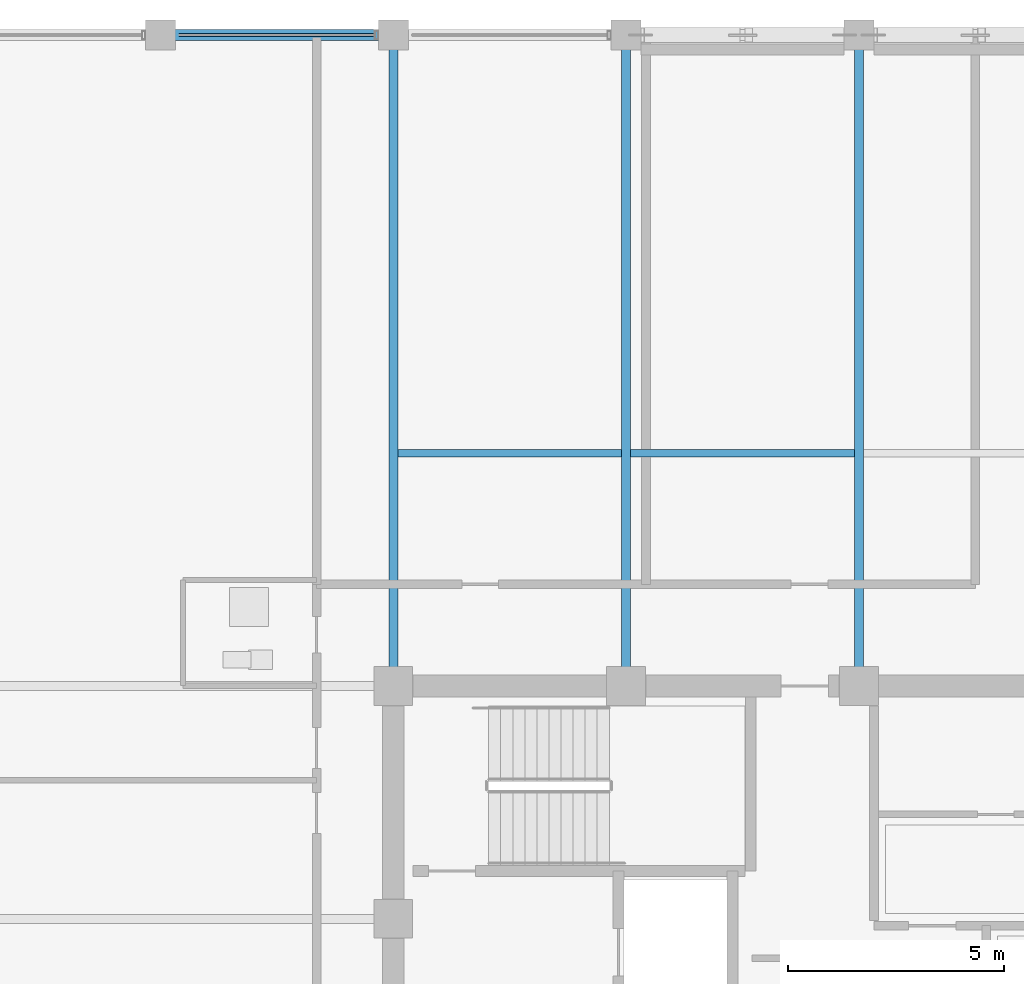
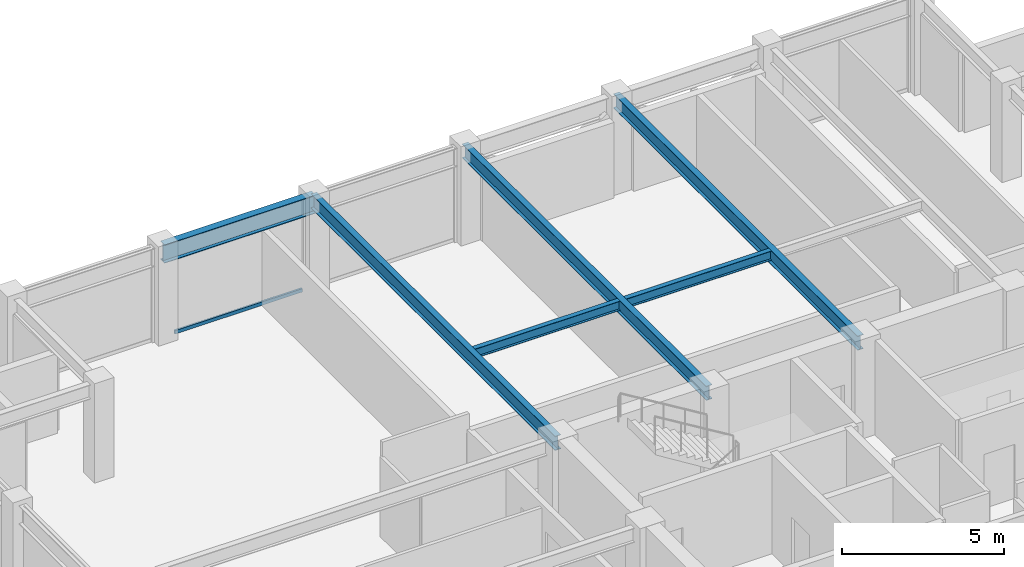
# One storey, part 16 of 31: 6 beams, 1 member, 1 element without a shape of its own.
"""IFC4 building model written with IfcOpenShell, lengths in metres."""

import ifcopenshell
import ifcopenshell.guid

model = None  # the IFC model being written
_history = None  # IfcOwnerHistory: only IFC2X3 demands one
_inside = {}  # id of a spatial element -> (the spatial element, [elements in it])
_under = {}  # id of a project, library or spatial element -> (it, [spatial elements below it])
_declared = {}  # id of a project -> (the project, [libraries it declares])
_typed = {}  # id of a type object -> (the type object, [elements of that type])
_made_of = {}  # id of a material, layer set ... -> (it, [elements and type objects made of it])


def new_model(schema):
    """Start an empty IFC model of exactly this schema.

    Asked for "IFC4X3", IfcOpenShell would pick the latest addendum, in which some entities
    have other attributes; the version numbers below select the first issue.
    IFC2X3 requires an IfcOwnerHistory on every rooted entity: one is made here for all.
    """
    global model, _history
    if schema == "IFC4X3":
        model = ifcopenshell.file(schema_version=(4, 3, 0, 0))
    else:
        model = ifcopenshell.file(schema=schema)
    _inside.clear()
    _under.clear()
    _declared.clear()
    _typed.clear()
    _made_of.clear()
    _history = None
    if model.schema == "IFC2X3":
        org = make("IfcOrganization", Name="unknown")
        user = make(
            "IfcPersonAndOrganization",
            ThePerson=make("IfcPerson", FamilyName="unknown"),
            TheOrganization=org,
        )
        app = make(
            "IfcApplication",
            ApplicationDeveloper=org,
            Version="unknown",
            ApplicationFullName="unknown",
            ApplicationIdentifier="unknown",
        )
        _history = make(
            "IfcOwnerHistory",
            OwningUser=user,
            OwningApplication=app,
            ChangeAction="ADDED",
            CreationDate=0,
        )
    return model


def make(cls, **values):
    """One entity of the class cls with the attributes given. An attribute that is None is left unset."""
    return model.create_entity(
        cls, **{name: value for name, value in values.items() if value is not None}
    )


def rooted(cls, **values):
    """An entity with a GlobalId (a new one), such as an element, a storey or a relation."""
    return make(cls, GlobalId=ifcopenshell.guid.new(), OwnerHistory=_history, **values)


def si_unit(unit_type, name, prefix=None):
    """IfcSIUnit, for example si_unit("LENGTHUNIT", "METRE", prefix="MILLI")."""
    return make("IfcSIUnit", UnitType=unit_type, Prefix=prefix, Name=name)


def assignment(units):
    """IfcUnitAssignment: the units of a project."""
    return None if units is None else make("IfcUnitAssignment", Units=units)


def point(xyz):
    """IfcCartesianPoint."""
    return None if xyz is None else make("IfcCartesianPoint", Coordinates=xyz)


def direction(xyz):
    """IfcDirection."""
    return None if xyz is None else make("IfcDirection", DirectionRatios=xyz)


def frame(location, z_axis=None, x_axis=None):
    """IfcAxis2Placement3D, a coordinate frame: its origin and axes. An axis left out is left unset."""
    return make(
        "IfcAxis2Placement3D",
        Location=point(location),
        Axis=direction(z_axis),
        RefDirection=direction(x_axis),
    )


def frame_2d(location, x_axis=None):
    """IfcAxis2Placement2D, a coordinate frame in the plane: its origin and x axis."""
    return make(
        "IfcAxis2Placement2D", Location=point(location), RefDirection=direction(x_axis)
    )


def origin():
    """The frame at (0, 0, 0) with its axes left unset."""
    return frame((0.0, 0.0, 0.0))


def origin_2d():
    """The frame at (0, 0) in the plane with its x axis left unset."""
    return frame_2d((0.0, 0.0))


def place(relative_to, where):
    """IfcLocalPlacement: puts the frame where relative to a parent placement (None: the world)."""
    return make(
        "IfcLocalPlacement", PlacementRelTo=relative_to, RelativePlacement=where
    )


def context(
    kind, dimensions, precision=None, world=None, true_north=None, identifier=None
):
    """IfcGeometricRepresentationContext, for example the 3D "Model" context."""
    return make(
        "IfcGeometricRepresentationContext",
        ContextIdentifier=identifier,
        ContextType=kind,
        CoordinateSpaceDimension=dimensions,
        Precision=precision,
        WorldCoordinateSystem=world,
        TrueNorth=true_north,
    )


def subcontext(parent, identifier, kind, view, scale=None):
    """IfcGeometricRepresentationSubContext, for example "Body" below "Model"."""
    return make(
        "IfcGeometricRepresentationSubContext",
        ContextIdentifier=identifier,
        ContextType=kind,
        ParentContext=parent,
        TargetScale=scale,
        TargetView=view,
    )


def project(units=None, contexts=None):
    """IfcProject with its units and contexts."""
    return rooted(
        "IfcProject",
        Name="project",
        RepresentationContexts=contexts,
        UnitsInContext=assignment(units),
    )


def spatial(cls, under=None, at=None, **own):
    """A site, building, storey or space (cls), placed at a placement, below another one or the project."""
    s = rooted(cls, ObjectPlacement=at, **own)
    if under is not None:
        _under.setdefault(under.id(), (under, []))[1].append(s)
    return s


def profile(cls, at=None, kind="AREA", **sizes):
    """A parametric profile (cls). Its sizes go by their IFC names, for example OverallWidth=200.0."""
    return make(cls, ProfileType=kind, Position=at, **sizes)


def hollow_rectangle(**sizes):
    """IfcRectangleHollowProfileDef."""
    return profile("IfcRectangleHollowProfileDef", **sizes)


def i_section(**sizes):
    """IfcIShapeProfileDef."""
    return profile("IfcIShapeProfileDef", **sizes)


def extrude(swept, where, along, depth):
    """IfcExtrudedAreaSolid: the profile swept, set in the frame where, extruded along a direction by depth."""
    return make(
        "IfcExtrudedAreaSolid",
        SweptArea=swept,
        Position=where,
        ExtrudedDirection=direction(along),
        Depth=depth,
    )


def shape(context_of_items, identifier, shape_type, items):
    """IfcShapeRepresentation: the items that make up one representation, for example the "Body"."""
    return make(
        "IfcShapeRepresentation",
        ContextOfItems=context_of_items,
        RepresentationIdentifier=identifier,
        RepresentationType=shape_type,
        Items=items,
    )


def material(Name=None, Category=None):
    """IfcMaterial."""
    return make("IfcMaterial", Name=Name, Category=Category)


def layer(
    of_material, thickness, ventilated=None, Name=None, Category=None, Priority=None
):
    """IfcMaterialLayer: one layer of a wall or slab, of a material (None: an air gap)."""
    return make(
        "IfcMaterialLayer",
        Material=of_material,
        LayerThickness=thickness,
        IsVentilated=ventilated,
        Name=Name,
        Category=Category,
        Priority=Priority,
    )


def layer_set(layers, Name=None):
    """IfcMaterialLayerSet."""
    return make("IfcMaterialLayerSet", MaterialLayers=layers, LayerSetName=Name)


def material_profile(
    of_material, cross_section, Name=None, Category=None, Priority=None
):
    """IfcMaterialProfile: a cross section and its material."""
    return make(
        "IfcMaterialProfile",
        Name=Name,
        Material=of_material,
        Profile=cross_section,
        Priority=Priority,
        Category=Category,
    )


def profile_set(profiles, Name=None, composite=None):
    """IfcMaterialProfileSet."""
    return make(
        "IfcMaterialProfileSet",
        Name=Name,
        MaterialProfiles=profiles,
        CompositeProfile=composite,
    )


def made_of(thing, what):
    """Note that an element or type object is made of a material, layer set ...; save() writes the relation."""
    if what is not None:
        _made_of.setdefault(what.id(), (what, []))[1].append(thing)
    return thing


def type_object(cls, material=None, **own):
    """A type object (cls), such as IfcWallType, which elements share."""
    return made_of(rooted(cls, **own), material)


def element(
    cls,
    number,
    at=None,
    inside=None,
    cuts=None,
    type_object=None,
    material=None,
    context=None,
    identifier="Body",
    shape_type=None,
    held_by="IfcProductDefinitionShape",
    body=None,
    shapes=None,
    **own,
):
    """One element of the class cls, such as IfcWall. Its Tag is "e" and its number.

    at: its placement. inside: the storey or other place that contains it. cuts: it is an
    opening in that element (IfcRelVoidsElement). A single representation is given by context,
    identifier, shape_type and body (its items); several are given by shapes. held_by: the class
    of the entity that holds the representations. save() writes the other relations.
    """
    e = rooted(cls, Tag="e%d" % number, ObjectPlacement=at, **own)
    if body is not None:
        shapes = [shape(context, identifier, shape_type, body)]
    if shapes is not None:
        e.Representation = make(held_by, Representations=shapes)
    if inside is not None:
        _inside.setdefault(inside.id(), (inside, []))[1].append(e)
    if cuts is not None:
        rooted(
            "IfcRelVoidsElement", RelatingBuildingElement=cuts, RelatedOpeningElement=e
        )
    if type_object is not None:
        _typed.setdefault(type_object.id(), (type_object, []))[1].append(e)
    return made_of(e, material)


def aggregate(whole, parts):
    """IfcRelAggregates: a whole, such as a stair, and the parts it consists of."""
    return rooted("IfcRelAggregates", RelatingObject=whole, RelatedObjects=parts)


def save(model, path):
    """Write the relations noted so far, then the file.

    IfcRelAggregates (storeys below a building ...), IfcRelContainedInSpatialStructure (elements
    in a storey), IfcRelDefinesByType, IfcRelAssociatesMaterial and IfcRelDeclares: one each for
    every whole, place, type object, material and project.
    """
    for whole, parts in _under.values():
        aggregate(whole, parts)
    for where, things in _inside.values():
        rooted(
            "IfcRelContainedInSpatialStructure",
            RelatedElements=things,
            RelatingStructure=where,
        )
    for kind, things in _typed.values():
        rooted("IfcRelDefinesByType", RelatedObjects=things, RelatingType=kind)
    for what, things in _made_of.values():
        rooted("IfcRelAssociatesMaterial", RelatedObjects=things, RelatingMaterial=what)
    for by, libraries in _declared.values():
        rooted("IfcRelDeclares", RelatingContext=by, RelatedDefinitions=libraries)
    model.write(path)


model = new_model("IFC4")

# Units and contexts
model_context = context("Model", 3, precision=1e-05, world=origin(), true_north=direction((0.0, 1.0)))
body_context = subcontext(model_context, "Body", "Model", "MODEL_VIEW")
ifc_project = project(units=[si_unit("LENGTHUNIT", "METRE"), si_unit("AREAUNIT", "SQUARE_METRE"), si_unit("VOLUMEUNIT", "CUBIC_METRE"), si_unit("PLANEANGLEUNIT", "RADIAN"), si_unit("MASSUNIT", "GRAM", prefix="KILO")], contexts=[model_context])

# Site, building, storey
site_placement = place(None, origin())
site = spatial("IfcSite", under=ifc_project, at=site_placement, CompositionType="ELEMENT")
building_placement = place(site_placement, origin())
building = spatial("IfcBuilding", under=site, at=building_placement, Name="Surkhivell Harbour Commons", CompositionType="ELEMENT")
storey_placement = place(building_placement, frame((0.0, 0.0, 315.0)))
storey = spatial("IfcBuildingStorey", under=building, at=storey_placement, Name="L82", CompositionType="ELEMENT", Elevation=315.0)

# Beams
ifc_material_1 = material(Name="Steel S355", Category="steel")
ifc_material_profile_1 = material_profile(ifc_material_1, i_section(OverallWidth=0.2099609375, OverallDepth=0.537109375, WebThickness=0.0107421875, FlangeThickness=0.017333984375, at=origin_2d()), Name="UB533x210x101")
ifc_profile_set_1 = profile_set([ifc_material_profile_1], Name="Steel S355")
beam_type_1 = type_object("IfcBeamType", Name="BM-GRD-533B", PredefinedType="BEAM", material=ifc_profile_set_1)
for number, where, z_axis, x_axis, name in (
    (1, (-10.800048828125, 10.800048828125, 3.301513671875), (0.0, 1.0, 0.0), (-1.0, 0.0, 0.0), "L82 Floor Girder (-10.8,10.8)"),
    (2, (-5.39990234375, 10.800048828125, 3.301513671875), (0.0, 1.0, 0.0), (-1.0, 0.0, 0.0), "L82 Floor Girder (-5.4,10.8)"),
    (3, (0.0, 10.800048828125, 3.301513671875), (0.0, 1.0, 0.0), (-1.0, 0.0, 0.0), "L82 Floor Girder (0.0,10.8)"),
):
    element("IfcBeam", number, at=place(storey_placement, frame(where, z_axis=z_axis, x_axis=x_axis)), inside=storey, type_object=beam_type_1, Name=name, PredefinedType="BEAM", context=body_context, shape_type="SweptSolid", body=[
        extrude(i_section(OverallWidth=0.2099609375, OverallDepth=0.537109375, WebThickness=0.0107421875, FlangeThickness=0.017333984375, at=origin_2d()), origin(), (0.0, 0.0, 1.0), 15.099853515625),
    ])
ifc_material_profile_2 = material_profile(ifc_material_1, i_section(OverallWidth=0.172119140625, OverallDepth=0.35791015625, WebThickness=0.008056640625, FlangeThickness=0.012939453125, at=origin_2d()), Name="UB356x171x57")
ifc_profile_set_2 = profile_set([ifc_material_profile_2], Name="Steel S355")
beam_type_2 = type_object("IfcBeamType", Name="BM-JST-356", PredefinedType="JOIST", material=ifc_profile_set_2)
for number, where, z_axis, x_axis, name in (
    (4, (-10.697021484375, 16.199951171875, 3.39111328125), (1.0, 0.0, 0.0), (0.0, 1.0, 0.0), "L82 North Composite Joist (-10.8)"),
    (5, (-5.297119140625, 16.199951171875, 3.39111328125), (1.0, 0.0, 0.0), (0.0, 1.0, 0.0), "L82 North Composite Joist (-5.4)"),
):
    element("IfcBeam", number, at=place(storey_placement, frame(where, z_axis=z_axis, x_axis=x_axis)), inside=storey, type_object=beam_type_2, Name=name, PredefinedType="JOIST", context=body_context, shape_type="SweptSolid", body=[
        extrude(i_section(OverallWidth=0.172119140625, OverallDepth=0.35791015625, WebThickness=0.008056640625, FlangeThickness=0.012939453125, at=origin_2d()), origin(), (0.0, 0.0, 1.0), 5.194091796875),
    ])
ifc_material_profile_3 = material_profile(ifc_material_1, i_section(OverallWidth=0.256103515625, OverallDepth=0.693115234375, WebThickness=0.014404296875, FlangeThickness=0.023681640625, at=origin_2d()), Name="UB686x254x170")
ifc_profile_set_3 = profile_set([ifc_material_profile_3], Name="Steel S355")
beam_type_3 = type_object("IfcBeamType", Name="BM-SPN-686", PredefinedType="SPANDREL", material=ifc_profile_set_3)
beam_placement = place(storey_placement, frame((-16.199951171875, 25.89990234375, 3.223388671875), z_axis=(1.0, 0.0, 0.0), x_axis=(0.0, 1.0, 0.0)))
element("IfcBeam", 6, at=beam_placement, inside=storey, type_object=beam_type_3, Name="L82 Tube Spandrel (-16.2,25.9)", PredefinedType="SPANDREL", context=body_context, shape_type="SweptSolid", body=[
    extrude(i_section(OverallWidth=0.256103515625, OverallDepth=0.693115234375, WebThickness=0.014404296875, FlangeThickness=0.023681640625, at=origin_2d()), origin(), (0.0, 0.0, 1.0), 5.39990234375),
])

# Curtain wall, member
ifc_material_2 = material(Name="Anodised pale-metal aluminium and insulated glazing", Category="aluminium")
ifc_layer = layer(ifc_material_2, 0.175048828125)
ifc_layer_set = layer_set([ifc_layer], Name="Anodised pale-metal aluminium and insulated glazing")
curtain_wall_type = type_object("IfcCurtainWallType", Name="CW-SYS-Z4", PredefinedType="NOTDEFINED", material=ifc_layer_set)
curtain_wall_placement = place(storey_placement, origin())
curtain_wall = element("IfcCurtainWall", 7, at=curtain_wall_placement, inside=storey, type_object=curtain_wall_type, Name="L82 Curtain Wall CW-L82-E07S2", PredefinedType="NOTDEFINED")
ifc_material_3 = material(Name="Champagne anodised aluminium alloy 6063-T6", Category="aluminium")
ifc_material_profile_4 = material_profile(ifc_material_3, hollow_rectangle(XDim=0.070068359375, YDim=0.1298828125, WallThickness=0.00341796875, at=origin_2d()), Name="ALU-TRAN-70x130")
ifc_profile_set_4 = profile_set([ifc_material_profile_4], Name="Champagne anodised aluminium alloy 6063-T6")
member_type = type_object("IfcMemberType", Name="CWT-130", PredefinedType="USERDEFINED", material=ifc_profile_set_4)
member_placement = place(storey_placement, frame((-11.22705078125, 25.89990234375, 0.06494140625), z_axis=(-1.0, 0.0, 0.0), x_axis=(0.0, -1.0, 0.0)))
member = element("IfcMember", 8, at=member_placement, type_object=member_type, Name="CW-Z4 transom 2.1", ObjectType="TRANSOM", PredefinedType="USERDEFINED", context=body_context, shape_type="SweptSolid", body=[
    extrude(hollow_rectangle(XDim=0.070068359375, YDim=0.1298828125, WallThickness=0.00341796875, at=origin_2d()), origin(), (0.0, 0.0, 1.0), 4.5458984375),
])
aggregate(curtain_wall, [member])

save(model, "model.ifc")
